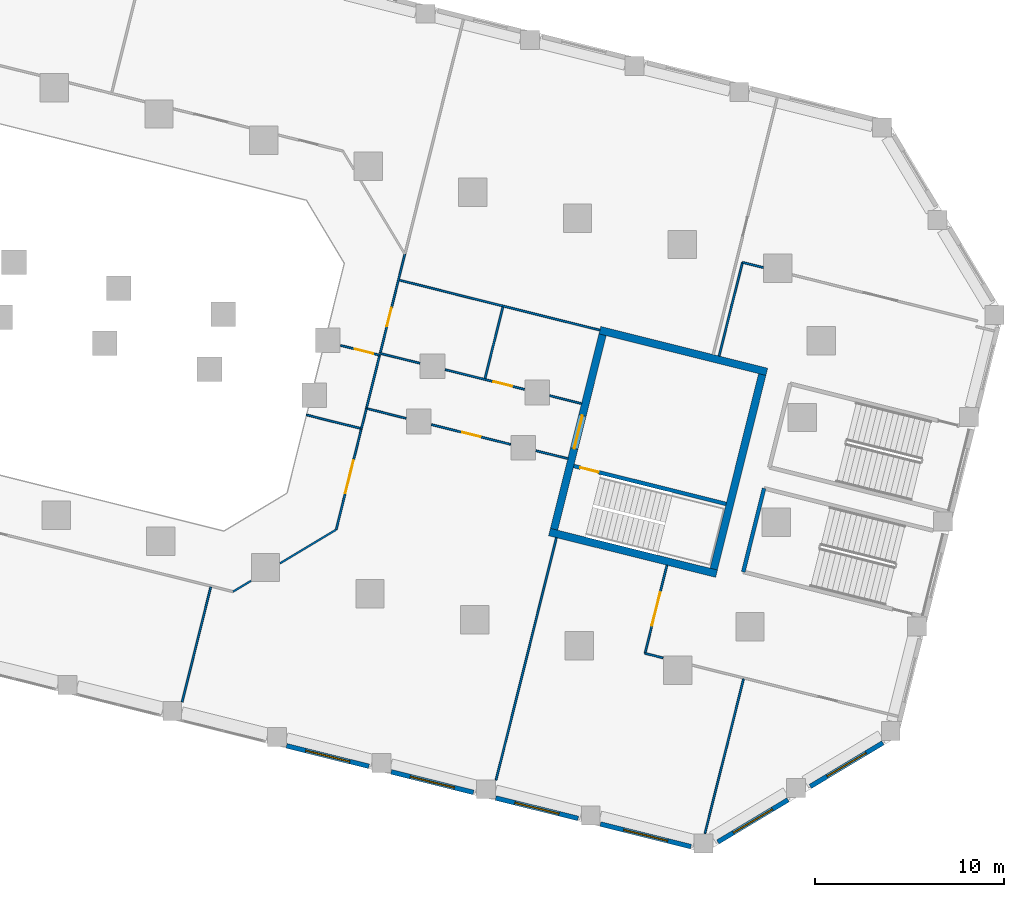
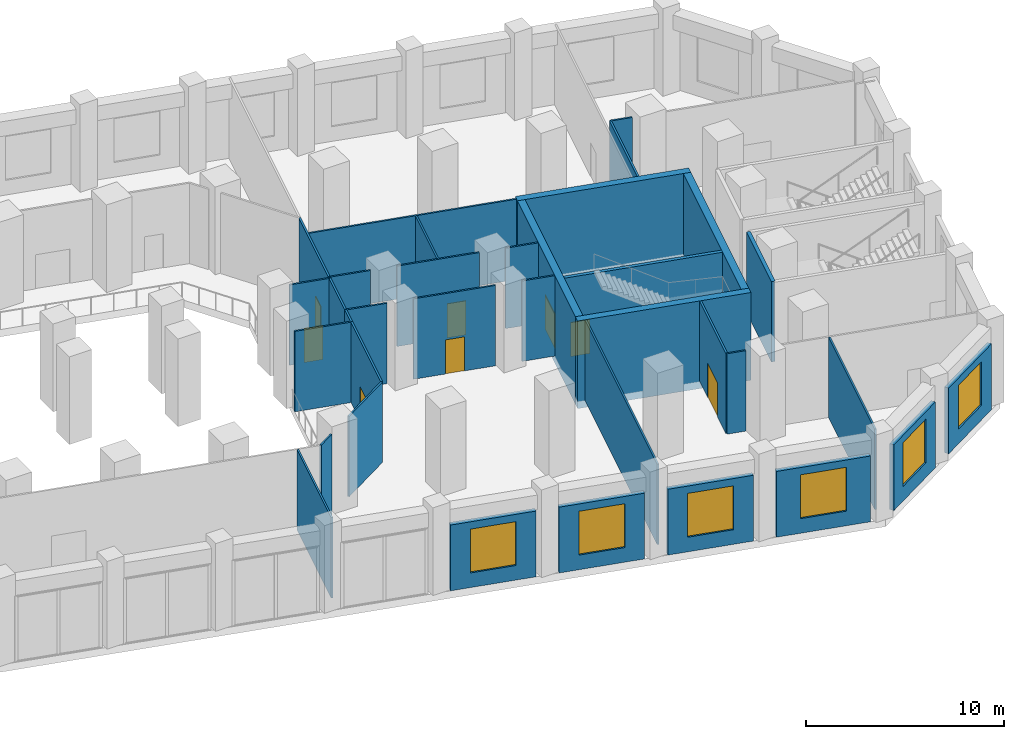
# One storey, part 12 of 23: 35 walls, 8 doors, 6 windows, 14 openings.
"""IFC4 building model written with IfcOpenShell, lengths in metres."""

from ifc_helpers import new_model, si_unit, direction, frame, frame_2d, origin, place, context, subcontext, project, spatial, rectangle, extrude, material, layer, layer_set, type_object, element, fill, save


model = new_model("IFC4")

# Units and contexts
model_context = context("Model", 3, precision=1e-05, world=origin(), true_north=direction((0.0, 1.0)))
body_context = subcontext(model_context, "Body", "Model", "MODEL_VIEW")
ifc_project = project(units=[si_unit("LENGTHUNIT", "METRE"), si_unit("AREAUNIT", "SQUARE_METRE"), si_unit("VOLUMEUNIT", "CUBIC_METRE"), si_unit("PLANEANGLEUNIT", "RADIAN"), si_unit("MASSUNIT", "GRAM", prefix="KILO")], contexts=[model_context])

# Site, building, storey
site_placement = place(None, origin())
site = spatial("IfcSite", under=ifc_project, at=site_placement, CompositionType="ELEMENT")
building_placement = place(site_placement, origin())
building = spatial("IfcBuilding", under=site, at=building_placement, Name="Meshkara Civic Tower", CompositionType="ELEMENT")
storey_placement = place(building_placement, frame((0.0, 0.0, 7.199951171875)))
storey = spatial("IfcBuildingStorey", under=building, at=storey_placement, Name="L01", CompositionType="ELEMENT", Elevation=7.199951171875)

# Walls
ifc_material_1 = material(Name="Corridor wall 100")
ifc_layer_1 = layer(ifc_material_1, 0.10009765625)
ifc_layer_set_1 = layer_set([ifc_layer_1], Name="Corridor wall 100")
wall_type_1 = type_object("IfcWallType", Name="Corridor wall 100", PredefinedType="PARTITIONING", material=ifc_layer_set_1)
wall_1_placement = place(storey_placement, frame((59.383056640625, -16.04296875, 0.0), z_axis=(0.0, 0.0, 1.0), x_axis=(0.857258049827, 0.514887012855, 0.0)))
element("IfcWall", 1, at=wall_1_placement, inside=storey, type_object=wall_type_1, Name="L01-R056", PredefinedType="PARTITIONING", context=body_context, shape_type="SweptSolid", body=[
    extrude(rectangle(XDim=1.10107421875, YDim=0.10009765625, at=frame_2d((0.550537109375, 0.0))), origin(), (0.0, 0.0, 1.0), 4.949951171875),
])
wall_2_placement = place(storey_placement, frame((61.866943359375, -14.550048828125, 0.0), z_axis=(0.0, 0.0, 1.0), x_axis=(0.857163347451, 0.515044654167, 0.0)))
element("IfcWall", 2, at=wall_2_placement, inside=storey, type_object=wall_type_1, Name="L01-R058", PredefinedType="PARTITIONING", context=body_context, shape_type="SweptSolid", body=[
    extrude(rectangle(XDim=3.466064453125, YDim=0.10009765625, at=frame_2d((1.73291015625, 0.0))), origin(), (0.0, 0.0, 1.0), 4.949951171875),
])

# Wall, opening, door
wall_3_placement = place(storey_placement, frame((64.837890625, -12.764892578125, 0.0), z_axis=(0.0, 0.0, 1.0), x_axis=(0.241992511183, 0.970278117104, 0.0)))
wall_3 = element("IfcWall", 3, at=wall_3_placement, inside=storey, type_object=wall_type_1, Name="L01-R059", PredefinedType="PARTITIONING", context=body_context, shape_type="SweptSolid", body=[
    extrude(rectangle(XDim=5.50048828125, YDim=0.10009765625, at=frame_2d((2.750244140625, 0.0))), origin(), (0.0, 0.0, 1.0), 4.949951171875),
])
opening_1_placement = place(wall_3_placement, frame((1.97998046875, 0.0, 0.0)))
opening_1 = element("IfcOpeningElement", 4, at=opening_1_placement, cuts=wall_3, Name="Opening L01-P005", PredefinedType="OPENING", context=body_context, shape_type="SweptSolid", body=[
    extrude(rectangle(XDim=1.800048828125, YDim=2.10009765625, at=frame_2d((0.89990234375, 1.050048828125))), frame((0.0, 0.06005859375, 0.0), z_axis=(0.0, -1.0, 0.0), x_axis=(1.0, 0.0, 0.0)), (0.0, 0.0, 1.0), 0.1201171875),
])
ifc_material_2 = material(Name="Door pair 1800 x 2100")
door_type_1 = type_object("IfcDoorType", Name="Door pair 1800 x 2100", OperationType="SINGLE_SWING_LEFT", PredefinedType="DOOR", material=ifc_material_2)
door_1_placement = place(opening_1_placement, origin())
door_1 = element("IfcDoor", 5, at=door_1_placement, inside=storey, type_object=door_type_1, Name="L01-P005", OperationType="DOUBLE_DOOR_SINGLE_SWING", OverallHeight=2.10009765625, OverallWidth=1.800048828125, PredefinedType="DOOR", context=body_context, shape_type="SweptSolid", body=[
    extrude(rectangle(XDim=1.800048828125, YDim=2.10009765625, at=frame_2d((0.89990234375, 1.050048828125))), frame((0.0, 0.02490234375, 0.0), z_axis=(0.0, -1.0, 0.0), x_axis=(1.0, 0.0, 0.0)), (0.0, 0.0, 1.0), 0.050048828125),
])
fill(opening_1, door_1)

wall_4_placement = place(storey_placement, frame((65.06494140625, -3.030029296875, 0.0), z_axis=(0.0, 0.0, 1.0), x_axis=(0.970216460302, -0.24223959247, 0.0)))
wall_4 = element("IfcWall", 6, at=wall_4_placement, inside=storey, type_object=wall_type_1, Name="L01-R060", PredefinedType="PARTITIONING", context=body_context, shape_type="SweptSolid", body=[
    extrude(rectangle(XDim=2.134521484375, YDim=0.10009765625, at=frame_2d((1.0673828125, 0.0))), origin(), (0.0, 0.0, 1.0), 4.949951171875),
])
opening_2_placement = place(wall_4_placement, frame((0.780029296875, 0.0, 0.0)))
opening_2 = element("IfcOpeningElement", 7, at=opening_2_placement, cuts=wall_4, Name="Opening L01-P009", PredefinedType="OPENING", context=body_context, shape_type="SweptSolid", body=[
    extrude(rectangle(XDim=1.0, YDim=2.10009765625, at=frame_2d((0.5, 1.050048828125))), frame((0.0, 0.06005859375, 0.0), z_axis=(0.0, -1.0, 0.0), x_axis=(1.0, 0.0, 0.0)), (0.0, 0.0, 1.0), 0.1201171875),
])
ifc_material_3 = material(Name="Door 1000 x 2100")
door_type_2 = type_object("IfcDoorType", Name="Door 1000 x 2100", OperationType="SINGLE_SWING_LEFT", PredefinedType="DOOR", material=ifc_material_3)
door_2_placement = place(opening_2_placement, origin())
door_2 = element("IfcDoor", 8, at=door_2_placement, inside=storey, type_object=door_type_2, Name="L01-P009", OperationType="SINGLE_SWING_LEFT", OverallHeight=2.10009765625, OverallWidth=1.0, PredefinedType="DOOR", context=body_context, shape_type="SweptSolid", body=[
    extrude(rectangle(XDim=1.0, YDim=2.10009765625, at=frame_2d((0.5, 1.050048828125))), frame((0.0, 0.02490234375, 0.0), z_axis=(0.0, -1.0, 0.0), x_axis=(1.0, 0.0, 0.0)), (0.0, 0.0, 1.0), 0.050048828125),
])
fill(opening_2, door_2)

# Walls
wall_5_placement = place(storey_placement, frame((66.1689453125, -7.427978515625, 0.0), z_axis=(0.0, 0.0, 1.0), x_axis=(-0.970348005743, 0.241712117509, 0.0)))
element("IfcWall", 9, at=wall_5_placement, inside=storey, type_object=wall_type_1, Name="L01-R063", PredefinedType="PARTITIONING", context=body_context, shape_type="SweptSolid", body=[
    extrude(rectangle(XDim=2.999755859375, YDim=0.10009765625, at=frame_2d((1.5, 0.0))), origin(), (0.0, 0.0, 1.0), 4.949951171875),
])
wall_6_placement = place(storey_placement, frame((66.43505859375, -6.361083984375, 0.0), z_axis=(0.0, 0.0, 1.0), x_axis=(0.970335093604, -0.241763947107, 0.0)))
element("IfcWall", 10, at=wall_6_placement, inside=storey, type_object=wall_type_1, Name="L01-R064", PredefinedType="PARTITIONING", context=body_context, shape_type="SweptSolid", body=[
    extrude(rectangle(XDim=2.158935546875, YDim=0.10009765625, at=frame_2d((1.07958984375, 0.0))), origin(), (0.0, 0.0, 1.0), 4.949951171875),
])
wall_7_placement = place(storey_placement, frame((67.135986328125, -3.547119140625, 0.0), z_axis=(0.0, 0.0, 1.0), x_axis=(-0.241704714776, -0.970349849722, 0.0)))
element("IfcWall", 11, at=wall_7_placement, inside=storey, type_object=wall_type_1, Name="L01-R065", PredefinedType="PARTITIONING", context=body_context, shape_type="SweptSolid", body=[
    extrude(rectangle(XDim=2.904052734375, YDim=0.10009765625, at=frame_2d((1.4521484375, 0.0))), origin(), (0.0, 0.0, 1.0), 4.949951171875),
])

# Wall, opening, door
wall_8_placement = place(storey_placement, frame((67.159912109375, -3.449951171875, 0.0), z_axis=(0.0, 0.0, 1.0), x_axis=(0.241993204157, 0.970277944273, 0.0)))
wall_8 = element("IfcWall", 12, at=wall_8_placement, inside=storey, type_object=wall_type_1, Name="L01-R066", PredefinedType="PARTITIONING", context=body_context, shape_type="SweptSolid", body=[
    extrude(rectangle(XDim=5.401611328125, YDim=0.10009765625, at=frame_2d((2.70068359375, 0.0))), origin(), (0.0, 0.0, 1.0), 4.949951171875),
])
opening_3_placement = place(wall_8_placement, frame((1.47998046875, 0.0, 0.0)))
opening_3 = element("IfcOpeningElement", 13, at=opening_3_placement, cuts=wall_8, Name="Opening L01-P010", PredefinedType="OPENING", context=body_context, shape_type="SweptSolid", body=[
    extrude(rectangle(XDim=1.0, YDim=2.10009765625, at=frame_2d((0.5, 1.050048828125))), frame((0.0, 0.06005859375, 0.0), z_axis=(0.0, -1.0, 0.0), x_axis=(1.0, 0.0, 0.0)), (0.0, 0.0, 1.0), 0.1201171875),
])
door_3_placement = place(opening_3_placement, origin())
door_3 = element("IfcDoor", 14, at=door_3_placement, inside=storey, type_object=door_type_2, Name="L01-P010", OperationType="SINGLE_SWING_RIGHT", OverallHeight=2.10009765625, OverallWidth=1.0, PredefinedType="DOOR", context=body_context, shape_type="SweptSolid", body=[
    extrude(rectangle(XDim=1.0, YDim=2.10009765625, at=frame_2d((0.5, 1.050048828125))), frame((0.0, 0.02490234375, 0.0), z_axis=(0.0, -1.0, 0.0), x_axis=(1.0, 0.0, 0.0)), (0.0, 0.0, 1.0), 0.050048828125),
])
fill(opening_3, door_3)

# Wall
wall_9_placement = place(storey_placement, frame((69.256103515625, -3.972900390625, 0.0), z_axis=(0.0, 0.0, 1.0), x_axis=(-0.970262034576, 0.242056985565, 0.0)))
element("IfcWall", 15, at=wall_9_placement, inside=storey, type_object=wall_type_1, Name="L01-R068", PredefinedType="PARTITIONING", context=body_context, shape_type="SweptSolid", body=[
    extrude(rectangle(XDim=2.160400390625, YDim=0.10009765625, at=frame_2d((1.080078125, 0.0))), origin(), (0.0, 0.0, 1.0), 4.949951171875),
])

# Wall, opening, door
wall_10_placement = place(storey_placement, frame((69.8701171875, -7.217041015625, 0.0), z_axis=(0.0, 0.0, 1.0), x_axis=(0.970295255208, -0.241923784941, 0.0)))
wall_10 = element("IfcWall", 16, at=wall_10_placement, inside=storey, type_object=wall_type_1, Name="L01-R069", PredefinedType="PARTITIONING", context=body_context, shape_type="SweptSolid", body=[
    extrude(rectangle(XDim=4.3193359375, YDim=0.10009765625, at=frame_2d((2.15966796875, 0.0))), origin(), (0.0, 0.0, 1.0), 4.949951171875),
])
opening_4_placement = place(wall_10_placement, frame((1.679931640625, 0.0, 0.0)))
opening_4 = element("IfcOpeningElement", 17, at=opening_4_placement, cuts=wall_10, Name="Opening L01-P006", PredefinedType="OPENING", context=body_context, shape_type="SweptSolid", body=[
    extrude(rectangle(XDim=1.0, YDim=2.10009765625, at=frame_2d((0.5, 1.050048828125))), frame((0.0, 0.06005859375, 0.0), z_axis=(0.0, -1.0, 0.0), x_axis=(1.0, 0.0, 0.0)), (0.0, 0.0, 1.0), 0.1201171875),
])
door_4_placement = place(opening_4_placement, origin())
door_4 = element("IfcDoor", 18, at=door_4_placement, inside=storey, type_object=door_type_2, Name="L01-P006", OperationType="SINGLE_SWING_RIGHT", OverallHeight=2.10009765625, OverallWidth=1.0, PredefinedType="DOOR", context=body_context, shape_type="SweptSolid", body=[
    extrude(rectangle(XDim=1.0, YDim=2.10009765625, at=frame_2d((0.5, 1.050048828125))), frame((0.0, 0.02490234375, 0.0), z_axis=(0.0, -1.0, 0.0), x_axis=(1.0, 0.0, 0.0)), (0.0, 0.0, 1.0), 0.050048828125),
])
fill(opening_4, door_4)

wall_11_placement = place(storey_placement, frame((70.595947265625, -4.306884765625, 0.0), z_axis=(0.0, 0.0, 1.0), x_axis=(0.970321828551, -0.241817181023, 0.0)))
wall_11 = element("IfcWall", 19, at=wall_11_placement, inside=storey, type_object=wall_type_1, Name="L01-R070", PredefinedType="PARTITIONING", context=body_context, shape_type="SweptSolid", body=[
    extrude(rectangle(XDim=4.318115234375, YDim=0.10009765625, at=frame_2d((2.1591796875, 0.0))), origin(), (0.0, 0.0, 1.0), 4.949951171875),
])
opening_5_placement = place(wall_11_placement, frame((2.638916015625, 0.0, 0.0)))
opening_5 = element("IfcOpeningElement", 20, at=opening_5_placement, cuts=wall_11, Name="Opening L01-P011", PredefinedType="OPENING", context=body_context, shape_type="SweptSolid", body=[
    extrude(rectangle(XDim=1.0, YDim=2.10009765625, at=frame_2d((0.5, 1.050048828125))), frame((0.0, 0.06005859375, 0.0), z_axis=(0.0, -1.0, 0.0), x_axis=(1.0, 0.0, 0.0)), (0.0, 0.0, 1.0), 0.1201171875),
])
door_5_placement = place(opening_5_placement, origin())
door_5 = element("IfcDoor", 21, at=door_5_placement, inside=storey, type_object=door_type_2, Name="L01-P011", OperationType="SINGLE_SWING_RIGHT", OverallHeight=2.10009765625, OverallWidth=1.0, PredefinedType="DOOR", context=body_context, shape_type="SweptSolid", body=[
    extrude(rectangle(XDim=1.0, YDim=2.10009765625, at=frame_2d((0.5, 1.050048828125))), frame((0.0, 0.02490234375, 0.0), z_axis=(0.0, -1.0, 0.0), x_axis=(1.0, 0.0, 0.0)), (0.0, 0.0, 1.0), 0.050048828125),
])
fill(opening_5, door_5)

# Walls
wall_12_placement = place(storey_placement, frame((75.40087890625, -8.596923828125, 0.0), z_axis=(0.0, 0.0, 1.0), x_axis=(0.970358012919, -0.241671940372, 0.0)))
element("IfcWall", 22, at=wall_12_placement, inside=storey, type_object=wall_type_1, Name="L01-R071", PredefinedType="PARTITIONING", context=body_context, shape_type="SweptSolid", body=[
    extrude(rectangle(XDim=1.7294921875, YDim=0.10009765625, at=frame_2d((0.86474609375, 0.0))), origin(), (0.0, 0.0, 1.0), 4.949951171875),
])
wall_13_placement = place(storey_placement, frame((77.804931640625, -6.10400390625, 0.0), z_axis=(0.0, 0.0, 1.0), x_axis=(-0.97025029366, 0.242104043031, 0.0)))
element("IfcWall", 23, at=wall_13_placement, inside=storey, type_object=wall_type_1, Name="L01-R072", PredefinedType="PARTITIONING", context=body_context, shape_type="SweptSolid", body=[
    extrude(rectangle(XDim=1.73046875, YDim=0.10009765625, at=frame_2d((0.865234375, 0.0))), origin(), (0.0, 0.0, 1.0), 4.949951171875),
])
wall_14_placement = place(storey_placement, frame((81.159912109375, -19.30810546875, 0.0), z_axis=(0.0, 0.0, 1.0), x_axis=(0.970258747404, -0.242070161495, 0.0)))
element("IfcWall", 24, at=wall_14_placement, inside=storey, type_object=wall_type_1, Name="L01-R073", PredefinedType="PARTITIONING", context=body_context, shape_type="SweptSolid", body=[
    extrude(rectangle(XDim=0.9873046875, YDim=0.10009765625, at=frame_2d((0.49365234375, 0.0))), origin(), (0.0, 0.0, 1.0), 4.949951171875),
])

# Wall, opening, door
wall_15_placement = place(storey_placement, frame((82.321044921875, -14.65087890625, 0.0), z_axis=(0.0, 0.0, 1.0), x_axis=(-0.241913228726, -0.970297887129, 0.0)))
wall_15 = element("IfcWall", 25, at=wall_15_placement, inside=storey, type_object=wall_type_1, Name="L01-R074", PredefinedType="PARTITIONING", context=body_context, shape_type="SweptSolid", body=[
    extrude(rectangle(XDim=4.7998046875, YDim=0.10009765625, at=frame_2d((2.39990234375, 0.0))), origin(), (0.0, 0.0, 1.0), 4.949951171875),
])
opening_6_placement = place(wall_15_placement, frame((1.47998046875, 0.0, 0.0)))
opening_6 = element("IfcOpeningElement", 26, at=opening_6_placement, cuts=wall_15, Name="Opening L01-P003", PredefinedType="OPENING", context=body_context, shape_type="SweptSolid", body=[
    extrude(rectangle(XDim=1.800048828125, YDim=2.10009765625, at=frame_2d((0.89990234375, 1.050048828125))), frame((0.0, 0.06005859375, 0.0), z_axis=(0.0, -1.0, 0.0), x_axis=(1.0, 0.0, 0.0)), (0.0, 0.0, 1.0), 0.1201171875),
])
door_6_placement = place(opening_6_placement, origin())
door_6 = element("IfcDoor", 27, at=door_6_placement, inside=storey, type_object=door_type_1, Name="L01-P003", OperationType="DOUBLE_DOOR_SINGLE_SWING", OverallHeight=2.10009765625, OverallWidth=1.800048828125, PredefinedType="DOOR", context=body_context, shape_type="SweptSolid", body=[
    extrude(rectangle(XDim=1.800048828125, YDim=2.10009765625, at=frame_2d((0.89990234375, 1.050048828125))), frame((0.0, 0.02490234375, 0.0), z_axis=(0.0, -1.0, 0.0), x_axis=(1.0, 0.0, 0.0)), (0.0, 0.0, 1.0), 0.050048828125),
])
fill(opening_6, door_6)

# Walls
wall_16_placement = place(storey_placement, frame((86.31298828125, 1.35888671875, 0.0), z_axis=(0.0, 0.0, 1.0), x_axis=(-0.241961080538, -0.970285955533, 0.0)))
element("IfcWall", 28, at=wall_16_placement, inside=storey, type_object=wall_type_1, Name="L01-R076", PredefinedType="PARTITIONING", context=body_context, shape_type="SweptSolid", body=[
    extrude(rectangle(XDim=5.099609375, YDim=0.10009765625, at=frame_2d((2.5498046875, 0.0))), origin(), (0.0, 0.0, 1.0), 4.949951171875),
])
wall_17_placement = place(storey_placement, frame((87.416015625, 1.083984375, 0.0), z_axis=(0.0, 0.0, 1.0), x_axis=(-0.970319109457, 0.241828091467, 0.0)))
element("IfcWall", 29, at=wall_17_placement, inside=storey, type_object=wall_type_1, Name="L01-R078", PredefinedType="PARTITIONING", context=body_context, shape_type="SweptSolid", body=[
    extrude(rectangle(XDim=1.13671875, YDim=0.10009765625, at=frame_2d((0.568359375, 0.0))), origin(), (0.0, 0.0, 1.0), 4.949951171875),
])
ifc_material_4 = material(Name="Concrete C80", Category="concrete")
ifc_layer_2 = layer(ifc_material_4, 0.39990234375)
ifc_layer_set_2 = layer_set([ifc_layer_2], Name="End core ring wall 400 C80")
wall_type_2 = type_object("IfcWallType", Name="End core ring wall 400 C80", PredefinedType="SHEAR", material=ifc_layer_set_2)
wall_18_placement = place(storey_placement, frame((76.111083984375, -12.89599609375, -0.449951171875), z_axis=(0.0, 0.0, 1.0), x_axis=(0.970311127573, -0.241860115992, 0.0)))
element("IfcWall", 30, at=wall_18_placement, inside=storey, type_object=wall_type_2, Name="L01-C031", PredefinedType="SHEAR", context=body_context, shape_type="SweptSolid", body=[
    extrude(rectangle(XDim=9.10009765625, YDim=0.39990234375, at=frame_2d((4.550048828125, 0.0))), origin(), (0.0, 0.0, 1.0), 5.39990234375),
])
wall_19_placement = place(storey_placement, frame((78.77197265625, -2.222900390625, -0.449951171875), z_axis=(0.0, 0.0, 1.0), x_axis=(0.970306400786, -0.241879078453, 0.0)))
element("IfcWall", 31, at=wall_19_placement, inside=storey, type_object=wall_type_2, Name="L01-C032", PredefinedType="SHEAR", context=body_context, shape_type="SweptSolid", body=[
    extrude(rectangle(XDim=9.100341796875, YDim=0.39990234375, at=frame_2d((4.55029296875, 0.0))), origin(), (0.0, 0.0, 1.0), 5.39990234375),
])

# Wall, opening, door
wall_20_placement = place(storey_placement, frame((76.35302734375, -12.75, -0.449951171875), z_axis=(0.0, 0.0, 1.0), x_axis=(0.241977390218, 0.970281888228, 0.0)))
wall_20 = element("IfcWall", 32, at=wall_20_placement, inside=storey, type_object=wall_type_2, Name="L01-C033", PredefinedType="SHEAR", context=body_context, shape_type="SweptSolid", body=[
    extrude(rectangle(XDim=10.599853515625, YDim=0.39990234375, at=frame_2d((5.2998046875, 0.0))), origin(), (0.0, 0.0, 1.0), 5.39990234375),
])
opening_7_placement = place(wall_20_placement, frame((4.39990234375, 0.0, 0.449951171875)))
opening_7 = element("IfcOpeningElement", 33, at=opening_7_placement, cuts=wall_20, Name="Opening L01-K202", PredefinedType="OPENING", context=body_context, shape_type="SweptSolid", body=[
    extrude(rectangle(XDim=1.800048828125, YDim=2.10009765625, at=frame_2d((0.89990234375, 1.050048828125))), frame((0.0, 0.2099609375, 0.0), z_axis=(0.0, -1.0, 0.0), x_axis=(1.0, 0.0, 0.0)), (0.0, 0.0, 1.0), 0.419921875),
])
ifc_material_5 = material(Name="Fire-rated door leaf in steel frame", Category="steel")
door_type_3 = type_object("IfcDoorType", Name="Core double door 1800 EI 60", OperationType="DOUBLE_DOOR_SINGLE_SWING", PredefinedType="DOOR", material=ifc_material_5)
door_7_placement = place(opening_7_placement, origin())
door_7 = element("IfcDoor", 34, at=door_7_placement, inside=storey, type_object=door_type_3, Name="L01-K202", OperationType="DOUBLE_DOOR_SINGLE_SWING", OverallHeight=2.10009765625, OverallWidth=1.800048828125, PredefinedType="DOOR", context=body_context, shape_type="SweptSolid", body=[
    extrude(rectangle(XDim=1.800048828125, YDim=2.10009765625, at=frame_2d((0.89990234375, 1.050048828125))), frame((0.0, 0.02490234375, 0.0), z_axis=(0.0, -1.0, 0.0), x_axis=(1.0, 0.0, 0.0)), (0.0, 0.0, 1.0), 0.050048828125),
])
fill(opening_7, door_7)

# Wall
wall_21_placement = place(storey_placement, frame((84.794921875, -14.85498046875, -0.449951171875), z_axis=(0.0, 0.0, 1.0), x_axis=(0.241890652548, 0.970303515509, 0.0)))
element("IfcWall", 35, at=wall_21_placement, inside=storey, type_object=wall_type_2, Name="L01-C034", PredefinedType="SHEAR", context=body_context, shape_type="SweptSolid", body=[
    extrude(rectangle(XDim=10.599609375, YDim=0.39990234375, at=frame_2d((5.2998046875, 0.0))), origin(), (0.0, 0.0, 1.0), 5.39990234375),
])

# Wall, opening, window
ifc_material_6 = material(Name="Stone cladding on insulated backing wall", Category="masonry")
ifc_layer_3 = layer(ifc_material_6, 0.25)
ifc_layer_set_3 = layer_set([ifc_layer_3], Name="PODIUM STONE WALL 250")
wall_type_3 = type_object("IfcWallType", Name="PODIUM STONE WALL 250", PredefinedType="SOLIDWALL", material=ifc_layer_set_3)
wall_22_placement = place(storey_placement, frame((62.2109375, -24.194091796875, 0.0), z_axis=(0.0, 0.0, 1.0), x_axis=(0.970289506684, -0.241946839653, 0.0)))
wall_22 = element("IfcWall", 36, at=wall_22_placement, inside=storey, type_object=wall_type_3, Name="Podium external wall", PredefinedType="SOLIDWALL", context=body_context, shape_type="SweptSolid", body=[
    extrude(rectangle(XDim=4.48828125, YDim=0.25, at=frame_2d((2.244140625, 0.0))), origin(), (0.0, 0.0, 1.0), 4.050048828125),
])
opening_8_placement = place(wall_22_placement, frame((1.0439453125, 0.0, 0.89990234375)))
opening_8 = element("IfcOpeningElement", 37, at=opening_8_placement, cuts=wall_22, Name="Opening PW4", PredefinedType="OPENING", context=body_context, shape_type="SweptSolid", body=[
    extrude(rectangle(XDim=2.39990234375, YDim=2.699951171875, at=frame_2d((1.199951171875, 1.35009765625))), frame((0.0, 0.135009765625, 0.0), z_axis=(0.0, -1.0, 0.0), x_axis=(1.0, 0.0, 0.0)), (0.0, 0.0, 1.0), 0.27001953125),
])
ifc_material_7 = material(Name="Tinted double glazing", Category="glass")
window_type = type_object("IfcWindowType", Name="PODIUM WINDOW 2400x2700", PartitioningType="DOUBLE_PANEL_VERTICAL", PredefinedType="WINDOW", material=ifc_material_7)
window_1_placement = place(opening_8_placement, origin())
window_1 = element("IfcWindow", 38, at=window_1_placement, inside=storey, type_object=window_type, Name="Podium window", OverallHeight=2.699951171875, OverallWidth=2.39990234375, PartitioningType="DOUBLE_PANEL_VERTICAL", PredefinedType="WINDOW", context=body_context, shape_type="SweptSolid", body=[
    extrude(rectangle(XDim=2.39990234375, YDim=2.699951171875, at=frame_2d((1.199951171875, 1.35009765625))), frame((0.0, 0.030029296875, 0.0), z_axis=(0.0, -1.0, 0.0), x_axis=(1.0, 0.0, 0.0)), (0.0, 0.0, 1.0), 0.06005859375),
])
fill(opening_8, window_1)

wall_23_placement = place(storey_placement, frame((67.741943359375, -25.572998046875, 0.0), z_axis=(0.0, 0.0, 1.0), x_axis=(0.970289506684, -0.241946839653, 0.0)))
wall_23 = element("IfcWall", 39, at=wall_23_placement, inside=storey, type_object=wall_type_3, Name="Podium external wall", PredefinedType="SOLIDWALL", context=body_context, shape_type="SweptSolid", body=[
    extrude(rectangle(XDim=4.48828125, YDim=0.25, at=frame_2d((2.244140625, 0.0))), origin(), (0.0, 0.0, 1.0), 4.050048828125),
])
opening_9_placement = place(wall_23_placement, frame((1.0439453125, 0.0, 0.89990234375)))
opening_9 = element("IfcOpeningElement", 40, at=opening_9_placement, cuts=wall_23, Name="Opening PW4", PredefinedType="OPENING", context=body_context, shape_type="SweptSolid", body=[
    extrude(rectangle(XDim=2.39990234375, YDim=2.699951171875, at=frame_2d((1.199951171875, 1.35009765625))), frame((0.0, 0.135009765625, 0.0), z_axis=(0.0, -1.0, 0.0), x_axis=(1.0, 0.0, 0.0)), (0.0, 0.0, 1.0), 0.27001953125),
])
window_2_placement = place(opening_9_placement, origin())
window_2 = element("IfcWindow", 41, at=window_2_placement, inside=storey, type_object=window_type, Name="Podium window", OverallHeight=2.699951171875, OverallWidth=2.39990234375, PartitioningType="DOUBLE_PANEL_VERTICAL", PredefinedType="WINDOW", context=body_context, shape_type="SweptSolid", body=[
    extrude(rectangle(XDim=2.39990234375, YDim=2.699951171875, at=frame_2d((1.199951171875, 1.35009765625))), frame((0.0, 0.030029296875, 0.0), z_axis=(0.0, -1.0, 0.0), x_axis=(1.0, 0.0, 0.0)), (0.0, 0.0, 1.0), 0.06005859375),
])
fill(opening_9, window_2)

wall_24_placement = place(storey_placement, frame((73.27294921875, -26.951904296875, 0.0), z_axis=(0.0, 0.0, 1.0), x_axis=(0.970263990019, -0.242049147224, 0.0)))
wall_24 = element("IfcWall", 42, at=wall_24_placement, inside=storey, type_object=wall_type_3, Name="Podium external wall", PredefinedType="SOLIDWALL", context=body_context, shape_type="SweptSolid", body=[
    extrude(rectangle(XDim=4.487548828125, YDim=0.25, at=frame_2d((2.24365234375, 0.0))), origin(), (0.0, 0.0, 1.0), 4.050048828125),
])
opening_10_placement = place(wall_24_placement, frame((1.0439453125, 0.0, 0.89990234375)))
opening_10 = element("IfcOpeningElement", 43, at=opening_10_placement, cuts=wall_24, Name="Opening PW4", PredefinedType="OPENING", context=body_context, shape_type="SweptSolid", body=[
    extrude(rectangle(XDim=2.39990234375, YDim=2.699951171875, at=frame_2d((1.199951171875, 1.35009765625))), frame((0.0, 0.135009765625, 0.0), z_axis=(0.0, -1.0, 0.0), x_axis=(1.0, 0.0, 0.0)), (0.0, 0.0, 1.0), 0.27001953125),
])
window_3_placement = place(opening_10_placement, origin())
window_3 = element("IfcWindow", 44, at=window_3_placement, inside=storey, type_object=window_type, Name="Podium window", OverallHeight=2.699951171875, OverallWidth=2.39990234375, PartitioningType="DOUBLE_PANEL_VERTICAL", PredefinedType="WINDOW", context=body_context, shape_type="SweptSolid", body=[
    extrude(rectangle(XDim=2.39990234375, YDim=2.699951171875, at=frame_2d((1.199951171875, 1.35009765625))), frame((0.0, 0.030029296875, 0.0), z_axis=(0.0, -1.0, 0.0), x_axis=(1.0, 0.0, 0.0)), (0.0, 0.0, 1.0), 0.06005859375),
])
fill(opening_10, window_3)

wall_25_placement = place(storey_placement, frame((78.803955078125, -28.3310546875, 0.0), z_axis=(0.0, 0.0, 1.0), x_axis=(0.970305357377, -0.241883264089, 0.0)))
wall_25 = element("IfcWall", 45, at=wall_25_placement, inside=storey, type_object=wall_type_3, Name="Podium external wall", PredefinedType="SOLIDWALL", context=body_context, shape_type="SweptSolid", body=[
    extrude(rectangle(XDim=4.931640625, YDim=0.25, at=frame_2d((2.4658203125, 0.0))), origin(), (0.0, 0.0, 1.0), 4.050048828125),
])
opening_11_placement = place(wall_25_placement, frame((1.26611328125, 0.0, 0.89990234375)))
opening_11 = element("IfcOpeningElement", 46, at=opening_11_placement, cuts=wall_25, Name="Opening PW4", PredefinedType="OPENING", context=body_context, shape_type="SweptSolid", body=[
    extrude(rectangle(XDim=2.39990234375, YDim=2.699951171875, at=frame_2d((1.199951171875, 1.35009765625))), frame((0.0, 0.135009765625, 0.0), z_axis=(0.0, -1.0, 0.0), x_axis=(1.0, 0.0, 0.0)), (0.0, 0.0, 1.0), 0.27001953125),
])
window_4_placement = place(opening_11_placement, origin())
window_4 = element("IfcWindow", 47, at=window_4_placement, inside=storey, type_object=window_type, Name="Podium window", OverallHeight=2.699951171875, OverallWidth=2.39990234375, PartitioningType="DOUBLE_PANEL_VERTICAL", PredefinedType="WINDOW", context=body_context, shape_type="SweptSolid", body=[
    extrude(rectangle(XDim=2.39990234375, YDim=2.699951171875, at=frame_2d((1.199951171875, 1.35009765625))), frame((0.0, 0.030029296875, 0.0), z_axis=(0.0, -1.0, 0.0), x_axis=(1.0, 0.0, 0.0)), (0.0, 0.0, 1.0), 0.06005859375),
])
fill(opening_11, window_4)

wall_26_placement = place(storey_placement, frame((85.011962890625, -29.280029296875, 0.0), z_axis=(0.0, 0.0, 1.0), x_axis=(0.857124320069, 0.515109599936, 0.0)))
wall_26 = element("IfcWall", 48, at=wall_26_placement, inside=storey, type_object=wall_type_3, Name="Podium external wall", PredefinedType="SOLIDWALL", context=body_context, shape_type="SweptSolid", body=[
    extrude(rectangle(XDim=4.3271484375, YDim=0.25, at=frame_2d((2.16357421875, 0.0))), origin(), (0.0, 0.0, 1.0), 4.050048828125),
])
opening_12_placement = place(wall_26_placement, frame((0.964111328125, 0.0, 0.89990234375)))
opening_12 = element("IfcOpeningElement", 49, at=opening_12_placement, cuts=wall_26, Name="Opening PW4", PredefinedType="OPENING", context=body_context, shape_type="SweptSolid", body=[
    extrude(rectangle(XDim=2.39990234375, YDim=2.699951171875, at=frame_2d((1.199951171875, 1.35009765625))), frame((0.0, 0.135009765625, 0.0), z_axis=(0.0, -1.0, 0.0), x_axis=(1.0, 0.0, 0.0)), (0.0, 0.0, 1.0), 0.27001953125),
])
window_5_placement = place(opening_12_placement, origin())
window_5 = element("IfcWindow", 50, at=window_5_placement, inside=storey, type_object=window_type, Name="Podium window", OverallHeight=2.699951171875, OverallWidth=2.39990234375, PartitioningType="DOUBLE_PANEL_VERTICAL", PredefinedType="WINDOW", context=body_context, shape_type="SweptSolid", body=[
    extrude(rectangle(XDim=2.39990234375, YDim=2.699951171875, at=frame_2d((1.199951171875, 1.35009765625))), frame((0.0, 0.030029296875, 0.0), z_axis=(0.0, -1.0, 0.0), x_axis=(1.0, 0.0, 0.0)), (0.0, 0.0, 1.0), 0.06005859375),
])
fill(opening_12, window_5)

wall_27_placement = place(storey_placement, frame((89.89794921875, -26.344970703125, 0.0), z_axis=(0.0, 0.0, 1.0), x_axis=(0.857102702083, 0.515145569797, 0.0)))
wall_27 = element("IfcWall", 51, at=wall_27_placement, inside=storey, type_object=wall_type_3, Name="Podium external wall", PredefinedType="SOLIDWALL", context=body_context, shape_type="SweptSolid", body=[
    extrude(rectangle(XDim=4.474365234375, YDim=0.25, at=frame_2d((2.2373046875, 0.0))), origin(), (0.0, 0.0, 1.0), 4.050048828125),
])
opening_13_placement = place(wall_27_placement, frame((1.037109375, 0.0, 0.89990234375)))
opening_13 = element("IfcOpeningElement", 52, at=opening_13_placement, cuts=wall_27, Name="Opening PW4", PredefinedType="OPENING", context=body_context, shape_type="SweptSolid", body=[
    extrude(rectangle(XDim=2.39990234375, YDim=2.699951171875, at=frame_2d((1.199951171875, 1.35009765625))), frame((0.0, 0.135009765625, 0.0), z_axis=(0.0, -1.0, 0.0), x_axis=(1.0, 0.0, 0.0)), (0.0, 0.0, 1.0), 0.27001953125),
])
window_6_placement = place(opening_13_placement, origin())
window_6 = element("IfcWindow", 53, at=window_6_placement, inside=storey, type_object=window_type, Name="Podium window", OverallHeight=2.699951171875, OverallWidth=2.39990234375, PartitioningType="DOUBLE_PANEL_VERTICAL", PredefinedType="WINDOW", context=body_context, shape_type="SweptSolid", body=[
    extrude(rectangle(XDim=2.39990234375, YDim=2.699951171875, at=frame_2d((1.199951171875, 1.35009765625))), frame((0.0, 0.030029296875, 0.0), z_axis=(0.0, -1.0, 0.0), x_axis=(1.0, 0.0, 0.0)), (0.0, 0.0, 1.0), 0.06005859375),
])
fill(opening_13, window_6)

# Walls
ifc_material_8 = material(Name="Partition 100")
ifc_layer_4 = layer(ifc_material_8, 0.10009765625)
ifc_layer_set_4 = layer_set([ifc_layer_4], Name="Partition 100")
wall_type_4 = type_object("IfcWallType", Name="Partition 100", PredefinedType="PARTITIONING", material=ifc_layer_set_4)
wall_28_placement = place(storey_placement, frame((56.69189453125, -21.875, 0.0), z_axis=(0.0, 0.0, 1.0), x_axis=(0.24206753197, 0.970259403441, 0.0)))
element("IfcWall", 54, at=wall_28_placement, inside=storey, type_object=wall_type_4, Name="L01-R112", PredefinedType="PARTITIONING", context=body_context, shape_type="SweptSolid", body=[
    extrude(rectangle(XDim=6.259033203125, YDim=0.10009765625, at=frame_2d((3.12939453125, 0.0))), origin(), (0.0, 0.0, 1.0), 4.949951171875),
])
wall_29_placement = place(storey_placement, frame((66.16796875, -7.431884765625, 0.0), z_axis=(0.0, 0.0, 1.0), x_axis=(0.242015071637, 0.970272490129, 0.0)))
element("IfcWall", 55, at=wall_29_placement, inside=storey, type_object=wall_type_4, Name="L01-R113", PredefinedType="PARTITIONING", context=body_context, shape_type="SweptSolid", body=[
    extrude(rectangle(XDim=1.103515625, YDim=0.10009765625, at=frame_2d((0.5517578125, 0.0))), origin(), (0.0, 0.0, 1.0), 4.949951171875),
])
wall_30_placement = place(storey_placement, frame((68.177001953125, 0.4189453125, 0.0), z_axis=(0.0, 0.0, 1.0), x_axis=(0.970296170515, -0.241920113849, 0.0)))
element("IfcWall", 56, at=wall_30_placement, inside=storey, type_object=wall_type_4, Name="L01-R114", PredefinedType="PARTITIONING", context=body_context, shape_type="SweptSolid", body=[
    extrude(rectangle(XDim=10.92041015625, YDim=0.10009765625, at=frame_2d((5.460205078125, 0.0))), origin(), (0.0, 0.0, 1.0), 4.949951171875),
])
wall_31_placement = place(storey_placement, frame((72.702880859375, -4.780029296875, 0.0), z_axis=(0.0, 0.0, 1.0), x_axis=(0.242137806034, 0.970241868242, 0.0)))
element("IfcWall", 57, at=wall_31_placement, inside=storey, type_object=wall_type_4, Name="L01-R116", PredefinedType="PARTITIONING", context=body_context, shape_type="SweptSolid", body=[
    extrude(rectangle(XDim=3.89892578125, YDim=0.10009765625, at=frame_2d((1.949462890625, 0.0))), origin(), (0.0, 0.0, 1.0), 4.949951171875),
])
wall_32_placement = place(storey_placement, frame((73.283935546875, -26.011962890625, 0.0), z_axis=(0.0, 0.0, 1.0), x_axis=(0.241935487918, 0.970292337229, 0.0)))
element("IfcWall", 58, at=wall_32_placement, inside=storey, type_object=wall_type_4, Name="L01-R117", PredefinedType="PARTITIONING", context=body_context, shape_type="SweptSolid", body=[
    extrude(rectangle(XDim=13.210205078125, YDim=0.10009765625, at=frame_2d((6.60498046875, 0.0))), origin(), (0.0, 0.0, 1.0), 4.949951171875),
])
wall_33_placement = place(storey_placement, frame((84.3291015625, -28.8349609375, 0.0), z_axis=(0.0, 0.0, 1.0), x_axis=(0.241956115563, 0.97028719364, 0.0)))
element("IfcWall", 59, at=wall_33_placement, inside=storey, type_object=wall_type_4, Name="L01-R118", PredefinedType="PARTITIONING", context=body_context, shape_type="SweptSolid", body=[
    extrude(rectangle(XDim=8.426513671875, YDim=0.10009765625, at=frame_2d((4.21337890625, 0.0))), origin(), (0.0, 0.0, 1.0), 4.949951171875),
])

# Wall, opening, door
ifc_material_9 = material(Name="Concrete C40/50", Category="concrete")
ifc_layer_5 = layer(ifc_material_9, 0.199951171875)
ifc_layer_set_5 = layer_set([ifc_layer_5], Name="Stair enclosure wall 200 C40/50")
wall_type_5 = type_object("IfcWallType", Name="Stair enclosure wall 200 C40/50", PredefinedType="SOLIDWALL", material=ifc_layer_set_5)
wall_34_placement = place(storey_placement, frame((77.39404296875, -9.403076171875, 0.0), z_axis=(0.0, 0.0, 1.0), x_axis=(0.970303192681, -0.241891947516, 0.0)))
wall_34 = element("IfcWall", 60, at=wall_34_placement, inside=storey, type_object=wall_type_5, Name="L01-C035", PredefinedType="SOLIDWALL", context=body_context, shape_type="SweptSolid", body=[
    extrude(rectangle(XDim=8.300537109375, YDim=0.199951171875, at=frame_2d((4.150390625, 0.0))), origin(), (0.0, 0.0, 1.0), 4.949951171875),
])
opening_14_placement = place(wall_34_placement, frame((0.35009765625, 0.0, 0.0)))
opening_14 = element("IfcOpeningElement", 61, at=opening_14_placement, cuts=wall_34, Name="Opening L01-K201", PredefinedType="OPENING", context=body_context, shape_type="SweptSolid", body=[
    extrude(rectangle(XDim=1.0, YDim=2.10009765625, at=frame_2d((0.5, 1.050048828125))), frame((0.0, 0.10986328125, 0.0), z_axis=(0.0, -1.0, 0.0), x_axis=(1.0, 0.0, 0.0)), (0.0, 0.0, 1.0), 0.219970703125),
])
ifc_material_10 = material(Name="Fire-rated door leaf in steel frame", Category="steel")
door_type_4 = type_object("IfcDoorType", Name="Stair door 1000 EI 120", OperationType="SINGLE_SWING_LEFT", PredefinedType="DOOR", material=ifc_material_10)
door_8_placement = place(opening_14_placement, origin())
door_8 = element("IfcDoor", 62, at=door_8_placement, inside=storey, type_object=door_type_4, Name="L01-K201", OperationType="SINGLE_SWING_LEFT", OverallHeight=2.10009765625, OverallWidth=1.0, PredefinedType="DOOR", context=body_context, shape_type="SweptSolid", body=[
    extrude(rectangle(XDim=1.0, YDim=2.10009765625, at=frame_2d((0.5, 1.050048828125))), frame((0.0, 0.02490234375, 0.0), z_axis=(0.0, -1.0, 0.0), x_axis=(1.0, 0.0, 0.0)), (0.0, 0.0, 1.0), 0.050048828125),
])
fill(opening_14, door_8)

# Wall
wall_35_placement = place(storey_placement, frame((86.35595703125, -15.001953125, 0.0), z_axis=(0.0, 0.0, 1.0), x_axis=(0.241778041767, 0.970331581739, 0.0)))
element("IfcWall", 63, at=wall_35_placement, inside=storey, type_object=wall_type_5, Name="L01-R077", PredefinedType="SOLIDWALL", context=body_context, shape_type="SweptSolid", body=[
    extrude(rectangle(XDim=4.550048828125, YDim=0.199951171875, at=frame_2d((2.27490234375, 0.0))), origin(), (0.0, 0.0, 1.0), 4.949951171875),
])

save(model, "model.ifc")
